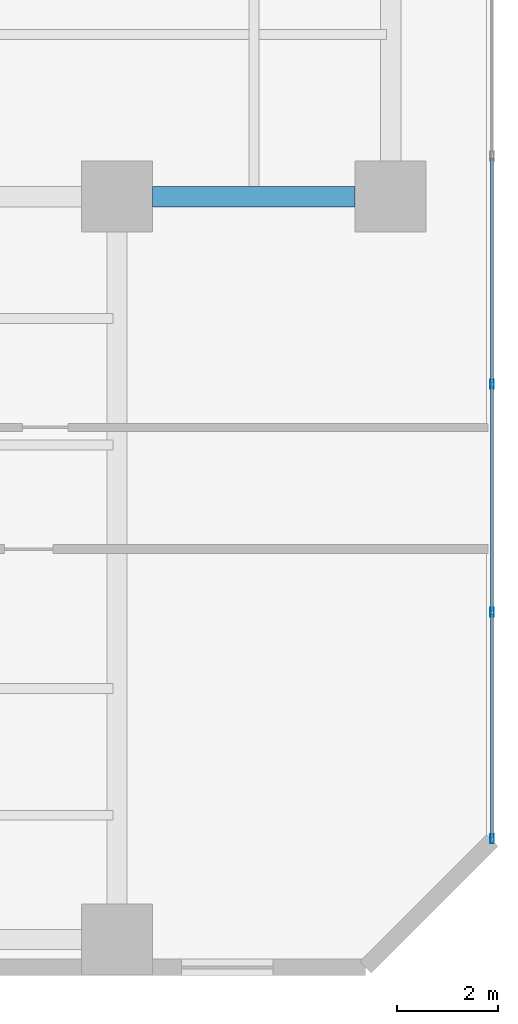
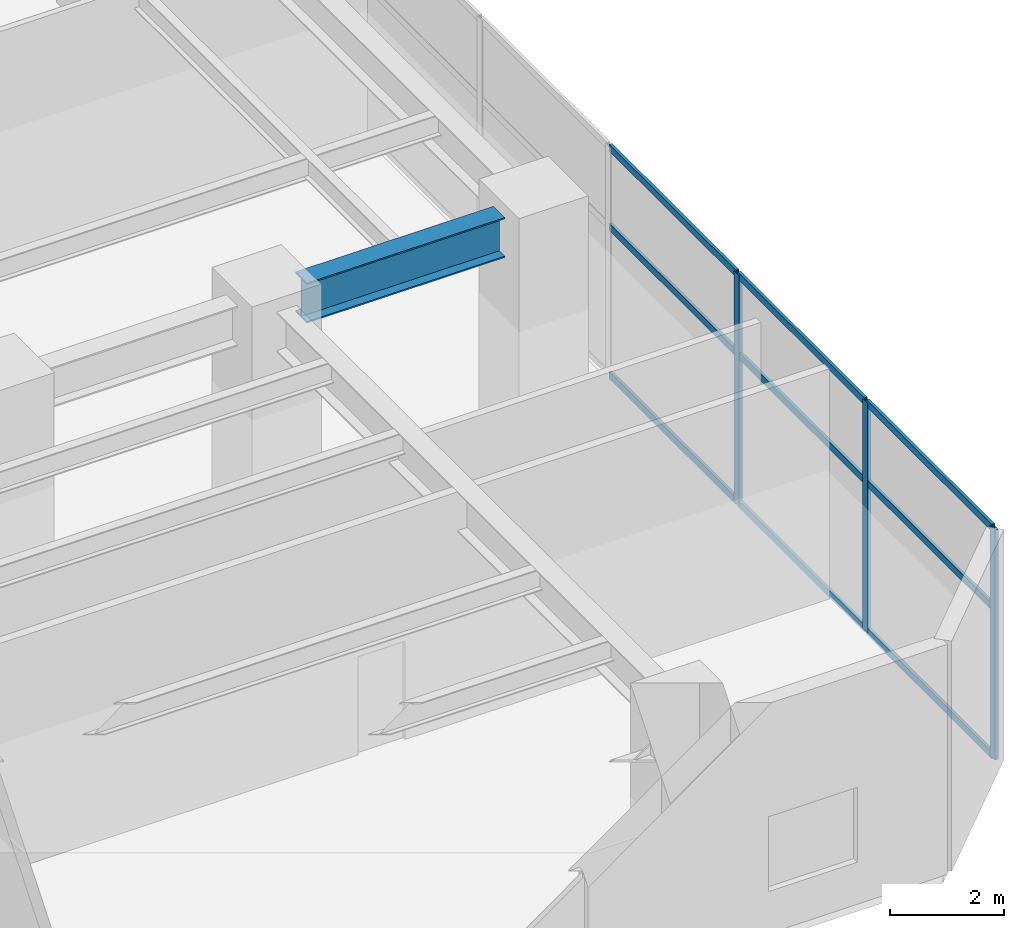
# One storey, part 2 of 22: 12 members, 1 beam, 1 element without a shape of its own.
"""IFC4 building model written with IfcOpenShell, lengths in metres."""

from ifc_helpers import new_model, si_unit, direction, frame, origin, origin_2d, place, context, subcontext, project, spatial, hollow_rectangle, i_section, extrude, material, layer, layer_set, material_profile, profile_set, type_object, element, aggregate, save


model = new_model("IFC4")

# Units and contexts
model_context = context("Model", 3, precision=1e-05, world=origin(), true_north=direction((0.0, 1.0)))
body_context = subcontext(model_context, "Body", "Model", "MODEL_VIEW")
ifc_project = project(units=[si_unit("LENGTHUNIT", "METRE"), si_unit("AREAUNIT", "SQUARE_METRE"), si_unit("VOLUMEUNIT", "CUBIC_METRE"), si_unit("PLANEANGLEUNIT", "RADIAN"), si_unit("MASSUNIT", "GRAM", prefix="KILO")], contexts=[model_context])

# Site, building, storey
site_placement = place(None, origin())
site = spatial("IfcSite", under=ifc_project, at=site_placement, CompositionType="ELEMENT")
building_placement = place(site_placement, origin())
building = spatial("IfcBuilding", under=site, at=building_placement, Name="Mawjaban Terraces University", CompositionType="ELEMENT")
storey_placement = place(building_placement, frame((0.0, 0.0, 10.39990234375)))
storey = spatial("IfcBuildingStorey", under=building, at=storey_placement, Name="L02", CompositionType="ELEMENT", Elevation=10.39990234375)

# Beam
ifc_material_1 = material(Name="Steel ASTM A572 Grade 50", Category="steel")
ifc_material_profile_1 = material_profile(ifc_material_1, i_section(OverallWidth=0.39990234375, OverallDepth=0.85498046875, WebThickness=0.018310546875, FlangeThickness=0.029296875, at=origin_2d()), Name="W840X299")
ifc_profile_set_1 = profile_set([ifc_material_profile_1], Name="Steel ASTM A572 Grade 50")
beam_type = type_object("IfcBeamType", Name="Beam_B_W840X299", PredefinedType="BEAM", material=ifc_profile_set_1)
beam_placement = place(storey_placement, frame((69.300048828125, 15.199951171875, 4.4931640625), z_axis=(1.0, 0.0, 0.0), x_axis=(0.0, 1.0, 0.0)))
element("IfcBeam", 1, at=beam_placement, inside=storey, type_object=beam_type, Name="L02 Beam BM-L02-EW-11", PredefinedType="BEAM", context=body_context, shape_type="SweptSolid", body=[
    extrude(i_section(OverallWidth=0.39990234375, OverallDepth=0.85498046875, WebThickness=0.018310546875, FlangeThickness=0.029296875, at=origin_2d()), origin(), (0.0, 0.0, 1.0), 4.0),
])

# Curtain wall, members
ifc_material_2 = material(Name="Anodised aluminium 6063-T6 and solar-control low-E glass", Category="aluminium")
ifc_layer = layer(ifc_material_2, 0.179931640625)
ifc_layer_set = layer_set([ifc_layer], Name="Anodised aluminium 6063-T6 and solar-control low-E glass")
curtain_wall_type = type_object("IfcCurtainWallType", Name="CWSystem_01_PlazaFoyer", PredefinedType="NOTDEFINED", material=ifc_layer_set)
curtain_wall_placement = place(storey_placement, origin())
curtain_wall = element("IfcCurtainWall", 2, at=curtain_wall_placement, inside=storey, type_object=curtain_wall_type, Name="L02 Curtain Wall CW-01 Run 3.1", PredefinedType="NOTDEFINED")
ifc_material_3 = material(Name="Anodised aluminium 6063-T6", Category="aluminium")
ifc_material_profile_2 = material_profile(ifc_material_3, hollow_rectangle(XDim=0.06494140625, YDim=0.179931640625, WallThickness=0.00390625, at=origin_2d()), Name="ALU180X65X4")
ifc_profile_set_2 = profile_set([ifc_material_profile_2], Name="Anodised aluminium 6063-T6")
member_type_1 = type_object("IfcMemberType", Name="Mullion_CW-01", PredefinedType="MULLION", material=ifc_profile_set_2)
member_1_placement = place(storey_placement, frame((76.0, 2.532470703125, 0.0), z_axis=(0.0, 0.0, 1.0), x_axis=(-1.0, 0.0, 0.0)))
member_1 = element("IfcMember", 3, at=member_1_placement, type_object=member_type_1, Name="CW-01 mullion 1", PredefinedType="MULLION", context=body_context, shape_type="SweptSolid", body=[
    extrude(hollow_rectangle(XDim=0.06494140625, YDim=0.179931640625, WallThickness=0.00390625, at=origin_2d()), origin(), (0.0, 0.0, 1.0), 4.920166015625),
])
member_2_placement = place(storey_placement, frame((76.0, 7.0, 0.0), z_axis=(0.0, 0.0, 1.0), x_axis=(-1.0, 0.0, 0.0)))
member_2 = element("IfcMember", 4, at=member_2_placement, type_object=member_type_1, Name="CW-01 mullion 2", PredefinedType="MULLION", context=body_context, shape_type="SweptSolid", body=[
    extrude(hollow_rectangle(XDim=0.06494140625, YDim=0.179931640625, WallThickness=0.00390625, at=origin_2d()), origin(), (0.0, 0.0, 1.0), 4.920166015625),
])
member_3_placement = place(storey_placement, frame((76.0, 11.5, 0.0), z_axis=(0.0, 0.0, 1.0), x_axis=(-1.0, 0.0, 0.0)))
member_3 = element("IfcMember", 5, at=member_3_placement, type_object=member_type_1, Name="CW-01 mullion 3", PredefinedType="MULLION", context=body_context, shape_type="SweptSolid", body=[
    extrude(hollow_rectangle(XDim=0.06494140625, YDim=0.179931640625, WallThickness=0.00390625, at=origin_2d()), origin(), (0.0, 0.0, 1.0), 4.920166015625),
])
ifc_material_profile_3 = material_profile(ifc_material_3, hollow_rectangle(XDim=0.06005859375, YDim=0.14990234375, WallThickness=0.00390625, at=origin_2d()), Name="ALU150X60X4")
ifc_profile_set_3 = profile_set([ifc_material_profile_3], Name="Anodised aluminium 6063-T6")
member_type_2 = type_object("IfcMemberType", Name="Transom_CW-01", PredefinedType="NOTDEFINED", material=ifc_profile_set_3)
member_4_placement = place(storey_placement, frame((76.0, 2.56494140625, 0.030029296875), z_axis=(0.0, 1.0, 0.0), x_axis=(-1.0, 0.0, 0.0)))
member_4 = element("IfcMember", 6, at=member_4_placement, type_object=member_type_2, Name="CW-01 transom 1.1", ObjectType="TRANSOM", PredefinedType="USERDEFINED", context=body_context, shape_type="SweptSolid", body=[
    extrude(hollow_rectangle(XDim=0.06005859375, YDim=0.14990234375, WallThickness=0.00390625, at=origin_2d()), origin(), (0.0, 0.0, 1.0), 4.402587890625),
])
member_5_placement = place(storey_placement, frame((76.0, 2.56494140625, 3.197998046875), z_axis=(0.0, 1.0, 0.0), x_axis=(-1.0, 0.0, 0.0)))
member_5 = element("IfcMember", 7, at=member_5_placement, type_object=member_type_2, Name="CW-01 transom 1.2", ObjectType="TRANSOM", PredefinedType="USERDEFINED", context=body_context, shape_type="SweptSolid", body=[
    extrude(hollow_rectangle(XDim=0.06005859375, YDim=0.14990234375, WallThickness=0.00390625, at=origin_2d()), origin(), (0.0, 0.0, 1.0), 4.402587890625),
])
member_6_placement = place(storey_placement, frame((76.0, 2.56494140625, 4.89013671875), z_axis=(0.0, 1.0, 0.0), x_axis=(-1.0, 0.0, 0.0)))
member_6 = element("IfcMember", 8, at=member_6_placement, type_object=member_type_2, Name="CW-01 transom 1.3", ObjectType="TRANSOM", PredefinedType="USERDEFINED", context=body_context, shape_type="SweptSolid", body=[
    extrude(hollow_rectangle(XDim=0.06005859375, YDim=0.14990234375, WallThickness=0.00390625, at=origin_2d()), origin(), (0.0, 0.0, 1.0), 4.402587890625),
])
member_7_placement = place(storey_placement, frame((76.0, 7.032470703125, 0.030029296875), z_axis=(0.0, 1.0, 0.0), x_axis=(-1.0, 0.0, 0.0)))
member_7 = element("IfcMember", 9, at=member_7_placement, type_object=member_type_2, Name="CW-01 transom 2.1", ObjectType="TRANSOM", PredefinedType="USERDEFINED", context=body_context, shape_type="SweptSolid", body=[
    extrude(hollow_rectangle(XDim=0.06005859375, YDim=0.14990234375, WallThickness=0.00390625, at=origin_2d()), origin(), (0.0, 0.0, 1.0), 4.43505859375),
])
member_8_placement = place(storey_placement, frame((76.0, 7.032470703125, 3.197998046875), z_axis=(0.0, 1.0, 0.0), x_axis=(-1.0, 0.0, 0.0)))
member_8 = element("IfcMember", 10, at=member_8_placement, type_object=member_type_2, Name="CW-01 transom 2.2", ObjectType="TRANSOM", PredefinedType="USERDEFINED", context=body_context, shape_type="SweptSolid", body=[
    extrude(hollow_rectangle(XDim=0.06005859375, YDim=0.14990234375, WallThickness=0.00390625, at=origin_2d()), origin(), (0.0, 0.0, 1.0), 4.43505859375),
])
member_9_placement = place(storey_placement, frame((76.0, 7.032470703125, 4.89013671875), z_axis=(0.0, 1.0, 0.0), x_axis=(-1.0, 0.0, 0.0)))
member_9 = element("IfcMember", 11, at=member_9_placement, type_object=member_type_2, Name="CW-01 transom 2.3", ObjectType="TRANSOM", PredefinedType="USERDEFINED", context=body_context, shape_type="SweptSolid", body=[
    extrude(hollow_rectangle(XDim=0.06005859375, YDim=0.14990234375, WallThickness=0.00390625, at=origin_2d()), origin(), (0.0, 0.0, 1.0), 4.43505859375),
])
member_10_placement = place(storey_placement, frame((76.0, 11.532470703125, 0.030029296875), z_axis=(0.0, 1.0, 0.0), x_axis=(-1.0, 0.0, 0.0)))
member_10 = element("IfcMember", 12, at=member_10_placement, type_object=member_type_2, Name="CW-01 transom 3.1", ObjectType="TRANSOM", PredefinedType="USERDEFINED", context=body_context, shape_type="SweptSolid", body=[
    extrude(hollow_rectangle(XDim=0.06005859375, YDim=0.14990234375, WallThickness=0.00390625, at=origin_2d()), origin(), (0.0, 0.0, 1.0), 4.43505859375),
])
member_11_placement = place(storey_placement, frame((76.0, 11.532470703125, 3.197998046875), z_axis=(0.0, 1.0, 0.0), x_axis=(-1.0, 0.0, 0.0)))
member_11 = element("IfcMember", 13, at=member_11_placement, type_object=member_type_2, Name="CW-01 transom 3.2", ObjectType="TRANSOM", PredefinedType="USERDEFINED", context=body_context, shape_type="SweptSolid", body=[
    extrude(hollow_rectangle(XDim=0.06005859375, YDim=0.14990234375, WallThickness=0.00390625, at=origin_2d()), origin(), (0.0, 0.0, 1.0), 4.43505859375),
])
member_12_placement = place(storey_placement, frame((76.0, 11.532470703125, 4.89013671875), z_axis=(0.0, 1.0, 0.0), x_axis=(-1.0, 0.0, 0.0)))
member_12 = element("IfcMember", 14, at=member_12_placement, type_object=member_type_2, Name="CW-01 transom 3.3", ObjectType="TRANSOM", PredefinedType="USERDEFINED", context=body_context, shape_type="SweptSolid", body=[
    extrude(hollow_rectangle(XDim=0.06005859375, YDim=0.14990234375, WallThickness=0.00390625, at=origin_2d()), origin(), (0.0, 0.0, 1.0), 4.43505859375),
])
aggregate(curtain_wall, [member_1, member_2, member_3, member_4, member_5, member_6, member_7, member_8, member_9, member_10, member_11, member_12])

save(model, "model.ifc")
